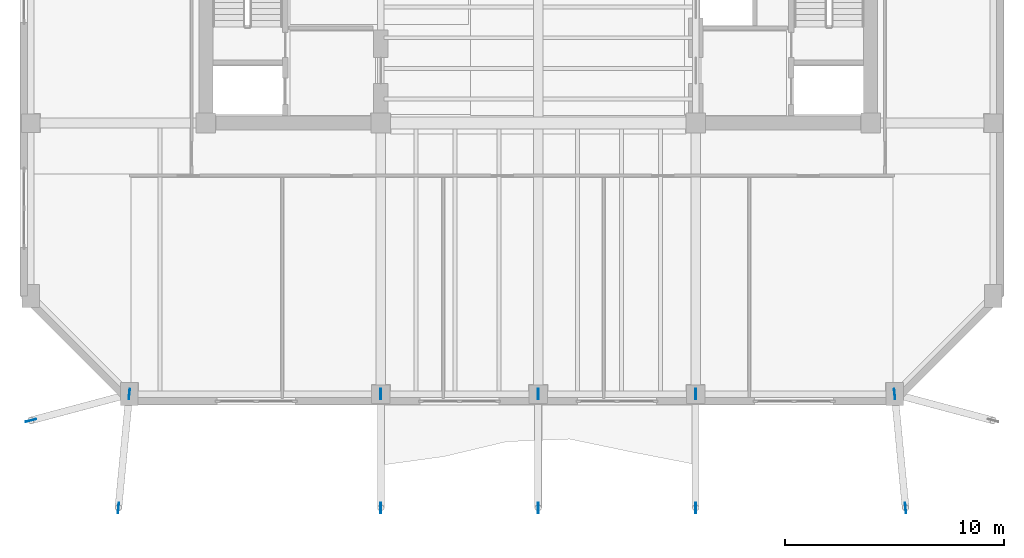
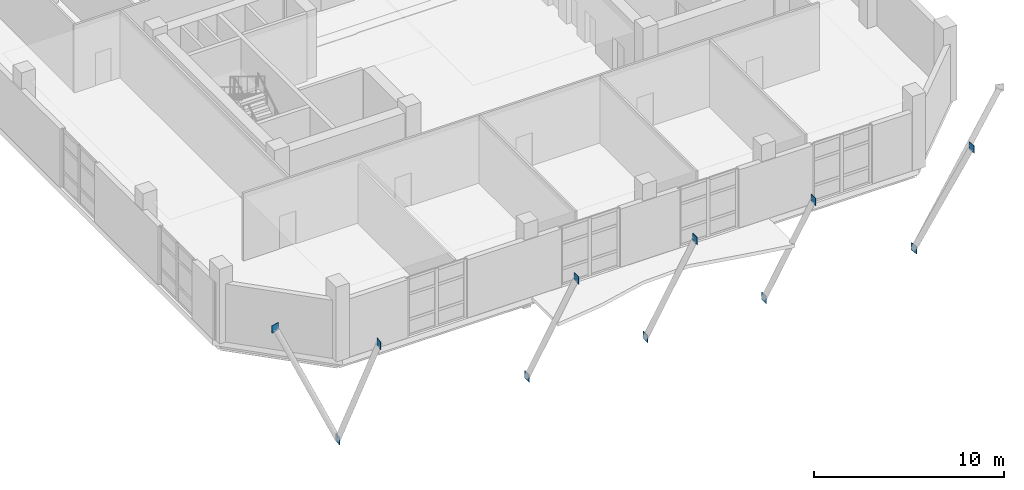
# One storey, part 6 of 15: 11 plates.
"""IFC4 building model written with IfcOpenShell, lengths in metres."""

from ifc_helpers import new_model, si_unit, direction, frame, origin, origin_2d, place, context, subcontext, project, spatial, rectangle, extrude, material, layer, layer_set, type_object, element, save


model = new_model("IFC4")

# Units and contexts
model_context = context("Model", 3, precision=1e-05, world=origin(), true_north=direction((0.0, 1.0)))
body_context = subcontext(model_context, "Body", "Model", "MODEL_VIEW")
ifc_project = project(units=[si_unit("LENGTHUNIT", "METRE"), si_unit("AREAUNIT", "SQUARE_METRE"), si_unit("VOLUMEUNIT", "CUBIC_METRE"), si_unit("PLANEANGLEUNIT", "RADIAN"), si_unit("MASSUNIT", "GRAM", prefix="KILO")], contexts=[model_context])

# Site, building, storey
site_placement = place(None, origin())
site = spatial("IfcSite", under=ifc_project, at=site_placement, CompositionType="ELEMENT")
building_placement = place(site_placement, origin())
building = spatial("IfcBuilding", under=site, at=building_placement, Name="Kranthara Brick Stack", CompositionType="ELEMENT")
storey_placement = place(building_placement, frame((0.0, 0.0, 202.699951171875)))
storey = spatial("IfcBuildingStorey", under=building, at=storey_placement, Name="L52", CompositionType="ELEMENT", Elevation=202.699951171875)

# Plates
ifc_material = material(Name="Steel S355", Category="steel")
ifc_layer = layer(ifc_material, 0.030029296875)
ifc_layer_set = layer_set([ifc_layer], Name="Steel S355")
plate_type = type_object("IfcPlateType", Name="PLT-GUSSET-30", PredefinedType="USERDEFINED", material=ifc_layer_set)
for number, where, z_axis, x_axis, name in (
    (1, (9.300048828125, 8.39990234375, -5.639892578125), (0.0, 0.0, 1.0), (0.09584575252, 0.995396198367, 0.0), "L52 Brace and Strut End Connection Gusset Plate 089"),
    (2, (8.800048828125, 3.199951171875, 3.81005859375), (0.0, 0.0, 1.0), (0.09584575252, 0.995396198367, 0.0), "L52 Brace and Strut End Connection Gusset Plate 090"),
    (3, (20.800048828125, 8.39990234375, -5.639892578125), (0.0, 0.0, 1.0), (0.0, 1.0, 0.0), "L52 Brace and Strut End Connection Gusset Plate 091"),
    (4, (20.800048828125, 3.199951171875, 3.81005859375), (0.0, 0.0, 1.0), (0.0, 1.0, 0.0), "L52 Brace and Strut End Connection Gusset Plate 092"),
    (5, (28.0, 8.39990234375, -5.639892578125), (0.0, 0.0, 1.0), (0.0, 1.0, 0.0), "L52 Brace and Strut End Connection Gusset Plate 093"),
    (6, (28.0, 3.199951171875, 3.81005859375), (0.0, 0.0, 1.0), (0.0, 1.0, 0.0), "L52 Brace and Strut End Connection Gusset Plate 094"),
    (7, (35.199951171875, 8.39990234375, -5.639892578125), (0.0, 0.0, 1.0), (0.0, 1.0, 0.0), "L52 Brace and Strut End Connection Gusset Plate 095"),
    (8, (35.199951171875, 3.199951171875, 3.81005859375), (0.0, 0.0, 1.0), (0.0, 1.0, 0.0), "L52 Brace and Strut End Connection Gusset Plate 096"),
    (9, (44.300048828125, 8.39990234375, -5.639892578125), (0.0, 0.0, 1.0), (-0.09584575252, 0.995396198367, 0.0), "L52 Brace and Strut End Connection Gusset Plate 097"),
    (10, (44.800048828125, 3.199951171875, 3.81005859375), (0.0, 0.0, 1.0), (-0.09584575252, 0.995396198367, 0.0), "L52 Brace and Strut End Connection Gusset Plate 098"),
    (11, (4.800048828125, 7.199951171875, 3.81005859375), (0.0, 0.0, 1.0), (0.966376079321, 0.257132793155, 0.0), "L52 Brace and Strut End Connection Gusset Plate 099"),
):
    element("IfcPlate", number, at=place(storey_placement, frame(where, z_axis=z_axis, x_axis=x_axis)), inside=storey, type_object=plate_type, Name=name, ObjectType="GUSSET PLATE", PredefinedType="USERDEFINED", context=body_context, shape_type="SweptSolid", body=[
        extrude(rectangle(XDim=0.47998046875, YDim=0.030029296875, at=origin_2d()), origin(), (0.0, 0.0, 1.0), 0.47998046875),
    ])

save(model, "model.ifc")
